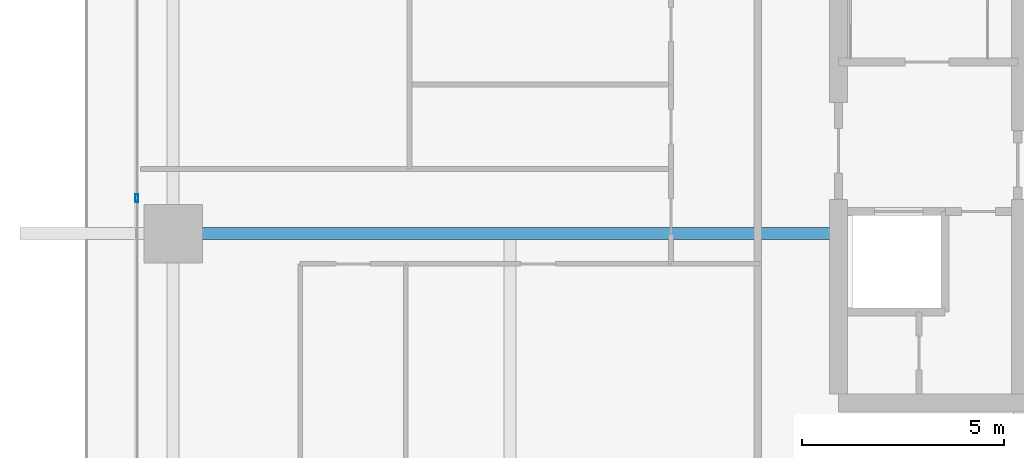
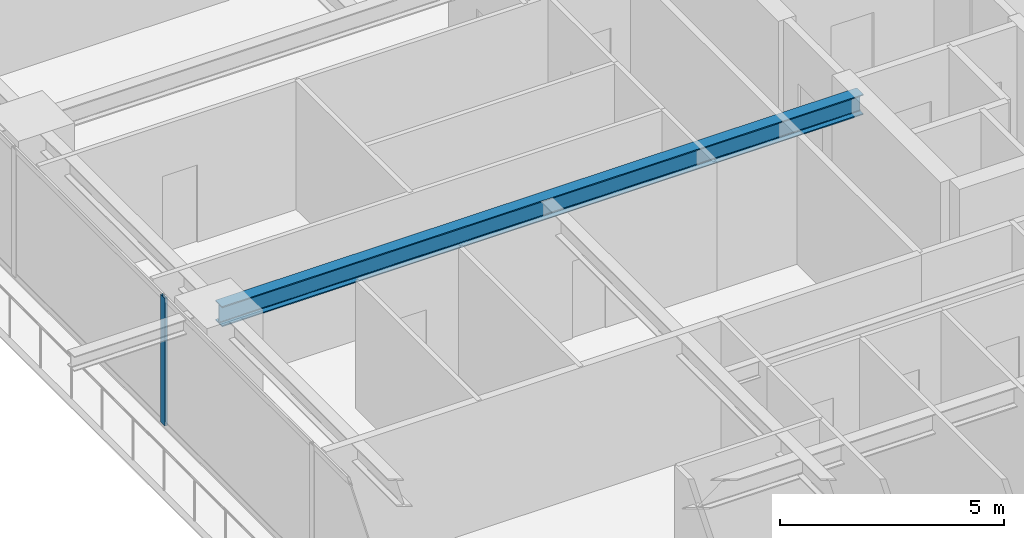
# One storey, part 7 of 39: 1 beam, 1 member, 1 element without a shape of its own.
"""IFC4 building model written with IfcOpenShell, lengths in metres."""

from ifc_helpers import new_model, si_unit, direction, frame, origin, origin_2d, place, context, subcontext, project, spatial, hollow_rectangle, i_section, extrude, source, transform, mapped, material, layer, layer_set, material_profile, profile_set, type_object, element, aggregate, save


model = new_model("IFC4")

# Units and contexts
model_context = context("Model", 3, precision=1e-05, world=origin(), true_north=direction((0.0, 1.0)))
body_context = subcontext(model_context, "Body", "Model", "MODEL_VIEW")
ifc_project = project(units=[si_unit("LENGTHUNIT", "METRE"), si_unit("AREAUNIT", "SQUARE_METRE"), si_unit("VOLUMEUNIT", "CUBIC_METRE"), si_unit("PLANEANGLEUNIT", "RADIAN"), si_unit("MASSUNIT", "GRAM", prefix="KILO")], contexts=[model_context])

# Site, building, storey
site_placement = place(None, origin())
site = spatial("IfcSite", under=ifc_project, at=site_placement, CompositionType="ELEMENT")
building_placement = place(site_placement, origin())
building = spatial("IfcBuilding", under=site, at=building_placement, Name="Serunith Strait Residences", CompositionType="ELEMENT")
storey_placement = place(building_placement, frame((0.0, 0.0, 97.949951171875)))
storey = spatial("IfcBuildingStorey", under=building, at=storey_placement, Name="L24", CompositionType="ELEMENT", Elevation=97.949951171875)

# Beam
ifc_material_1 = material(Name="Steel S355J2", Category="steel")
ifc_material_profile_1 = material_profile(ifc_material_1, i_section(OverallWidth=0.300048828125, OverallDepth=0.550048828125, WebThickness=0.014892578125, FlangeThickness=0.029052734375, FilletRadius=0.027099609375, at=origin_2d()), Name="HEB 550")
ifc_profile_set_1 = profile_set([ifc_material_profile_1], Name="Steel S355J2")
beam_type = type_object("IfcBeamType", Name="BM-HEB550", PredefinedType="BEAM", material=ifc_profile_set_1)
shared_shape_1 = source(origin(), body_context, "Body", "SweptSolid", [
    extrude(i_section(OverallWidth=0.300048828125, OverallDepth=0.550048828125, WebThickness=0.014892578125, FlangeThickness=0.029052734375, FilletRadius=0.027099609375, at=origin_2d()), origin(), (0.0, 0.0, 1.0), 16.5),
])
beam_placement = place(storey_placement, frame((23.39990234375, 21.0, 3.212158203125), z_axis=(-1.0, 0.0, 0.0), x_axis=(0.0, -1.0, 0.0)))
element("IfcBeam", 1, at=beam_placement, inside=storey, type_object=beam_type, Name="L24 Primary Floor Girder TC-W2", PredefinedType="BEAM", context=body_context, shape_type="MappedRepresentation", body=[
    mapped(shared_shape_1, transform((0.0, 0.0, 0.0), scale=1.0)),
])

# Curtain wall, member
ifc_material_2 = material(Name="Pale-Champagne Anodised Aluminium", Category="aluminium")
ifc_layer = layer(ifc_material_2, 0.199951171875, Name="Pale-Champagne Anodised Aluminium")
ifc_layer_set = layer_set([ifc_layer], Name="Pale-Champagne Anodised Aluminium")
curtain_wall_type = type_object("IfcCurtainWallType", Name="CW-SYS1", PredefinedType="NOTDEFINED", material=ifc_layer_set)
curtain_wall_placement = place(storey_placement, origin())
curtain_wall = element("IfcCurtainWall", 2, at=curtain_wall_placement, inside=storey, type_object=curtain_wall_type, Name="L24 W Unitised Fritted Curtain Wall", PredefinedType="NOTDEFINED")
ifc_material_profile_2 = material_profile(ifc_material_2, hollow_rectangle(XDim=0.070068359375, YDim=0.199951171875, WallThickness=0.00390625, InnerFilletRadius=0.006103515625, OuterFilletRadius=0.010009765625, at=origin_2d()), Name="ALU 200x70x4")
ifc_profile_set_2 = profile_set([ifc_material_profile_2], Name="Pale-Champagne Anodised Aluminium")
member_type = type_object("IfcMemberType", Name="CW-SYS1-MULL", PredefinedType="MULLION", material=ifc_profile_set_2)
shared_shape_2 = source(origin(), body_context, "Body", "SweptSolid", [
    extrude(hollow_rectangle(XDim=0.070068359375, YDim=0.199951171875, WallThickness=0.00390625, InnerFilletRadius=0.006103515625, OuterFilletRadius=0.010009765625, at=origin_2d()), origin(), (0.0, 0.0, 1.0), 3.47509765625),
])
member_placement = place(storey_placement, frame((6.0, 21.8798828125, 0.0), z_axis=(0.0, 0.0, 1.0), x_axis=(1.0, 0.0, 0.0)))
member = element("IfcMember", 3, at=member_placement, type_object=member_type, Name="CW-1 mullion 4", PredefinedType="MULLION", context=body_context, shape_type="MappedRepresentation", body=[
    mapped(shared_shape_2, transform((0.0, 0.0, 0.0), scale=1.0)),
])
aggregate(curtain_wall, [member])

save(model, "model.ifc")
